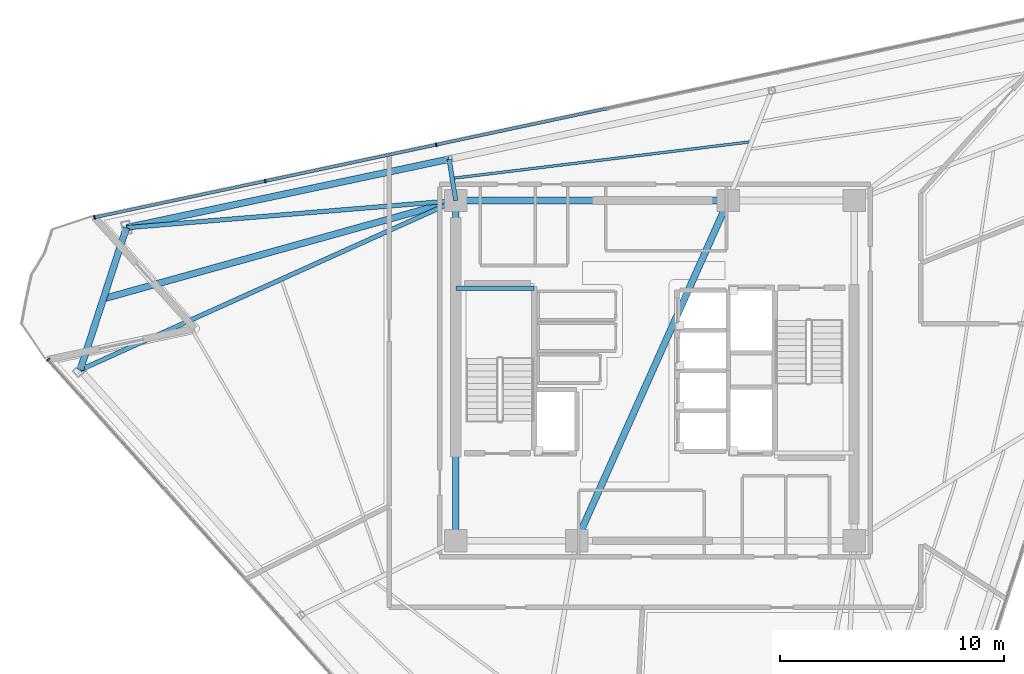
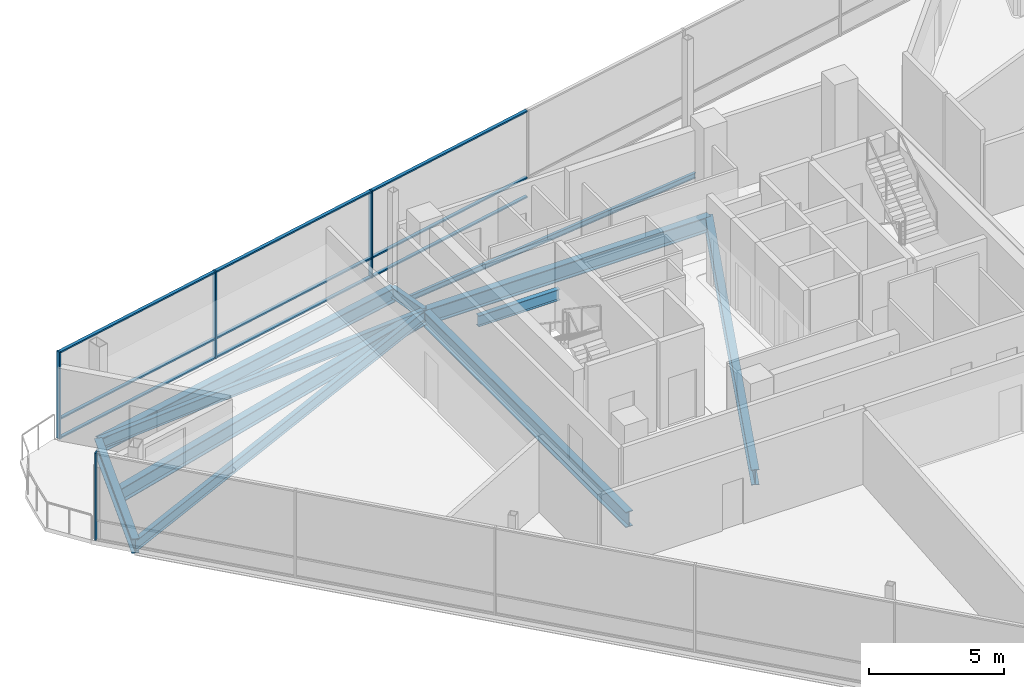
# One storey, part 7 of 17: 13 members, 11 beams, 2 elements without a shape of their own.
"""IFC4 building model written with IfcOpenShell, lengths in metres."""

from ifc_helpers import new_model, si_unit, direction, frame, origin, origin_2d, place, context, subcontext, project, spatial, rectangle, i_section, extrude, material, layer, layer_set, material_profile, profile_set, type_object, element, aggregate, save


model = new_model("IFC4")

# Units and contexts
model_context = context("Model", 3, precision=1e-05, world=origin(), true_north=direction((0.0, 1.0)))
body_context = subcontext(model_context, "Body", "Model", "MODEL_VIEW")
ifc_project = project(units=[si_unit("LENGTHUNIT", "METRE"), si_unit("AREAUNIT", "SQUARE_METRE"), si_unit("VOLUMEUNIT", "CUBIC_METRE"), si_unit("PLANEANGLEUNIT", "RADIAN"), si_unit("MASSUNIT", "GRAM", prefix="KILO")], contexts=[model_context])

# Site, building, storey
site_placement = place(None, origin())
site = spatial("IfcSite", under=ifc_project, at=site_placement, CompositionType="ELEMENT")
building_placement = place(site_placement, origin())
building = spatial("IfcBuilding", under=site, at=building_placement, Name="Tharavind Bronze Gate", CompositionType="ELEMENT")
storey_placement = place(building_placement, frame((0.0, 0.0, 298.0)))
storey = spatial("IfcBuildingStorey", under=building, at=storey_placement, Name="L77", CompositionType="ELEMENT", Elevation=298.0)

# Curtain wall, member
ifc_material_1 = material(Name="Anodised Bronze Aluminium", Category="aluminium")
ifc_layer = layer(ifc_material_1, 0.219970703125)
ifc_layer_set = layer_set([ifc_layer], Name="Anodised Bronze Aluminium")
curtain_wall_type = type_object("IfcCurtainWallType", Name="UNITISED CURTAIN WALL CROWN", PredefinedType="USERDEFINED", material=ifc_layer_set)
curtain_wall_1_placement = place(storey_placement, origin())
curtain_wall_1 = element("IfcCurtainWall", 1, at=curtain_wall_1_placement, inside=storey, type_object=curtain_wall_type, Name="L77 unitised curtain wall crown CW-L77-S1", ObjectType="UNITISED CURTAIN WALL", PredefinedType="USERDEFINED")
member_type_1 = type_object("IfcMemberType", Name="CURTAIN WALL BRONZE MULLION 65X180", PredefinedType="MULLION", material=ifc_material_1)
member_1_placement = place(storey_placement, frame((-27.105224609375, 0.4951171875, 0.0), z_axis=(0.0, 0.0, 1.0), x_axis=(0.669130606359, -0.743144825477, 0.0)))
member_1 = element("IfcMember", 2, at=member_1_placement, type_object=member_type_1, Name="CW-L77-S1 mullion 1", PredefinedType="MULLION", context=body_context, shape_type="SweptSolid", body=[
    extrude(rectangle(XDim=0.06494140625, YDim=0.179931640625, at=origin_2d()), origin(), (0.0, 0.0, 1.0), 3.949951171875),
])
aggregate(curtain_wall_1, [member_1])

# Curtain wall, members
curtain_wall_2_placement = place(storey_placement, origin())
curtain_wall_2 = element("IfcCurtainWall", 3, at=curtain_wall_2_placement, inside=storey, type_object=curtain_wall_type, Name="L77 unitised curtain wall crown CW-L77-S3", ObjectType="UNITISED CURTAIN WALL", PredefinedType="USERDEFINED")
member_2_placement = place(storey_placement, frame((-9.776611328125, 10.0927734375, 0.0), z_axis=(0.0, 0.0, 1.0), x_axis=(-0.978147237858, -0.207913398007, 0.0)))
member_2 = element("IfcMember", 4, at=member_2_placement, type_object=member_type_1, Name="CW-L77-S3 mullion 5", PredefinedType="MULLION", context=body_context, shape_type="SweptSolid", body=[
    extrude(rectangle(XDim=0.06494140625, YDim=0.179931640625, at=origin_2d()), origin(), (0.0, 0.0, 1.0), 3.949951171875),
])
member_3_placement = place(storey_placement, frame((-17.408935546875, 8.470458984375, 0.0), z_axis=(0.0, 0.0, 1.0), x_axis=(-0.978147237858, -0.207913398007, 0.0)))
member_3 = element("IfcMember", 5, at=member_3_placement, type_object=member_type_1, Name="CW-L77-S3 mullion 6", PredefinedType="MULLION", context=body_context, shape_type="SweptSolid", body=[
    extrude(rectangle(XDim=0.06494140625, YDim=0.179931640625, at=origin_2d()), origin(), (0.0, 0.0, 1.0), 3.949951171875),
])
member_4_placement = place(storey_placement, frame((-25.041015625, 6.84814453125, 0.0), z_axis=(0.0, 0.0, 1.0), x_axis=(-0.978147237858, -0.207913398007, 0.0)))
member_4 = element("IfcMember", 6, at=member_4_placement, type_object=member_type_1, Name="CW-L77-S3 mullion 7", PredefinedType="MULLION", context=body_context, shape_type="SweptSolid", body=[
    extrude(rectangle(XDim=0.06494140625, YDim=0.179931640625, at=origin_2d()), origin(), (0.0, 0.0, 1.0), 3.949951171875),
])
member_type_2 = type_object("IfcMemberType", Name="CURTAIN WALL BRONZE TRANSOM 65X140", PredefinedType="USERDEFINED", material=ifc_material_1)
member_5_placement = place(storey_placement, frame((-5.960693359375, 10.90380859375, 0.0), z_axis=(0.0, 0.0, 1.0), x_axis=(-0.978147237858, -0.207913398007, 0.0)))
member_5 = element("IfcMember", 7, at=member_5_placement, type_object=member_type_2, Name="CW-L77-S3 transom TB4", ObjectType="TRANSOM", PredefinedType="USERDEFINED", context=body_context, shape_type="SweptSolid", body=[
    extrude(rectangle(XDim=7.749755859375, YDim=0.139892578125, at=origin_2d()), origin(), (0.0, 0.0, 1.0), 0.06494140625),
])
member_6_placement = place(storey_placement, frame((-5.960693359375, 10.90380859375, 0.867431640625), z_axis=(0.0, 0.0, 1.0), x_axis=(-0.978147237858, -0.207913398007, 0.0)))
member_6 = element("IfcMember", 8, at=member_6_placement, type_object=member_type_2, Name="CW-L77-S3 transom TS4", ObjectType="TRANSOM", PredefinedType="USERDEFINED", context=body_context, shape_type="SweptSolid", body=[
    extrude(rectangle(XDim=7.749755859375, YDim=0.139892578125, at=origin_2d()), origin(), (0.0, 0.0, 1.0), 0.06494140625),
])
member_7_placement = place(storey_placement, frame((-5.960693359375, 10.90380859375, 3.885009765625), z_axis=(0.0, 0.0, 1.0), x_axis=(-0.978147237858, -0.207913398007, 0.0)))
member_7 = element("IfcMember", 9, at=member_7_placement, type_object=member_type_2, Name="CW-L77-S3 transom TT4", ObjectType="TRANSOM", PredefinedType="USERDEFINED", context=body_context, shape_type="SweptSolid", body=[
    extrude(rectangle(XDim=7.749755859375, YDim=0.139892578125, at=origin_2d()), origin(), (0.0, 0.0, 1.0), 0.06494140625),
])
member_8_placement = place(storey_placement, frame((-13.5927734375, 9.281494140625, 0.0), z_axis=(0.0, 0.0, 1.0), x_axis=(-0.978147237858, -0.207913398007, 0.0)))
member_8 = element("IfcMember", 10, at=member_8_placement, type_object=member_type_2, Name="CW-L77-S3 transom TB5", ObjectType="TRANSOM", PredefinedType="USERDEFINED", context=body_context, shape_type="SweptSolid", body=[
    extrude(rectangle(XDim=7.749755859375, YDim=0.139892578125, at=origin_2d()), origin(), (0.0, 0.0, 1.0), 0.06494140625),
])
member_9_placement = place(storey_placement, frame((-13.5927734375, 9.281494140625, 0.867431640625), z_axis=(0.0, 0.0, 1.0), x_axis=(-0.978147237858, -0.207913398007, 0.0)))
member_9 = element("IfcMember", 11, at=member_9_placement, type_object=member_type_2, Name="CW-L77-S3 transom TS5", ObjectType="TRANSOM", PredefinedType="USERDEFINED", context=body_context, shape_type="SweptSolid", body=[
    extrude(rectangle(XDim=7.749755859375, YDim=0.139892578125, at=origin_2d()), origin(), (0.0, 0.0, 1.0), 0.06494140625),
])
member_10_placement = place(storey_placement, frame((-13.5927734375, 9.281494140625, 3.885009765625), z_axis=(0.0, 0.0, 1.0), x_axis=(-0.978147237858, -0.207913398007, 0.0)))
member_10 = element("IfcMember", 12, at=member_10_placement, type_object=member_type_2, Name="CW-L77-S3 transom TT5", ObjectType="TRANSOM", PredefinedType="USERDEFINED", context=body_context, shape_type="SweptSolid", body=[
    extrude(rectangle(XDim=7.749755859375, YDim=0.139892578125, at=origin_2d()), origin(), (0.0, 0.0, 1.0), 0.06494140625),
])
member_11_placement = place(storey_placement, frame((-21.22509765625, 7.6591796875, 0.0), z_axis=(0.0, 0.0, 1.0), x_axis=(-0.978147237858, -0.207913398007, 0.0)))
member_11 = element("IfcMember", 13, at=member_11_placement, type_object=member_type_2, Name="CW-L77-S3 transom TB6", ObjectType="TRANSOM", PredefinedType="USERDEFINED", context=body_context, shape_type="SweptSolid", body=[
    extrude(rectangle(XDim=7.749755859375, YDim=0.139892578125, at=origin_2d()), origin(), (0.0, 0.0, 1.0), 0.06494140625),
])
member_12_placement = place(storey_placement, frame((-21.22509765625, 7.6591796875, 0.867431640625), z_axis=(0.0, 0.0, 1.0), x_axis=(-0.978147237858, -0.207913398007, 0.0)))
member_12 = element("IfcMember", 14, at=member_12_placement, type_object=member_type_2, Name="CW-L77-S3 transom TS6", ObjectType="TRANSOM", PredefinedType="USERDEFINED", context=body_context, shape_type="SweptSolid", body=[
    extrude(rectangle(XDim=7.749755859375, YDim=0.139892578125, at=origin_2d()), origin(), (0.0, 0.0, 1.0), 0.06494140625),
])
member_13_placement = place(storey_placement, frame((-21.22509765625, 7.6591796875, 3.885009765625), z_axis=(0.0, 0.0, 1.0), x_axis=(-0.978147237858, -0.207913398007, 0.0)))
member_13 = element("IfcMember", 15, at=member_13_placement, type_object=member_type_2, Name="CW-L77-S3 transom TT6", ObjectType="TRANSOM", PredefinedType="USERDEFINED", context=body_context, shape_type="SweptSolid", body=[
    extrude(rectangle(XDim=7.749755859375, YDim=0.139892578125, at=origin_2d()), origin(), (0.0, 0.0, 1.0), 0.06494140625),
])
aggregate(curtain_wall_2, [member_2, member_3, member_4, member_5, member_6, member_7, member_8, member_9, member_10, member_11, member_12, member_13])

# Beams
ifc_material_2 = material(Name="Steel S355", Category="steel")
ifc_material_profile_1 = material_profile(ifc_material_2, i_section(OverallWidth=0.300048828125, OverallDepth=0.64990234375, WebThickness=0.01611328125, FlangeThickness=0.031005859375, at=origin_2d()), Name="HE650B")
ifc_profile_set_1 = profile_set([ifc_material_profile_1], Name="Steel S355")
beam_type_1 = type_object("IfcBeamType", Name="PRIMARY GIRDER HE650B", PredefinedType="USERDEFINED", material=ifc_profile_set_1)
beam_1_placement = place(storey_placement, frame((-9.197265625, 9.44921875, -0.52490234375), z_axis=(-0.97814794647, -0.207910064249, 0.0), x_axis=(0.207910064249, -0.97814794647, 0.0)))
element("IfcBeam", 16, at=beam_1_placement, inside=storey, type_object=beam_type_1, Name="L77 primary girder he650b BM-L77-PRG11", ObjectType="GIRDER", PredefinedType="USERDEFINED", context=body_context, shape_type="SweptSolid", body=[
    extrude(i_section(OverallWidth=0.300048828125, OverallDepth=0.64990234375, WebThickness=0.01611328125, FlangeThickness=0.031005859375, at=origin_2d()), origin(), (0.0, 0.0, 1.0), 14.7392578125),
])
beam_2_placement = place(storey_placement, frame((-23.614501953125, 6.384765625, -0.52490234375), z_axis=(-0.309014999798, -0.95105716437, 0.0), x_axis=(0.95105716437, -0.309014999798, 0.0)))
element("IfcBeam", 17, at=beam_2_placement, inside=storey, type_object=beam_type_1, Name="L77 primary girder he650b BM-L77-PRG12", ObjectType="GIRDER", PredefinedType="USERDEFINED", context=body_context, shape_type="SweptSolid", body=[
    extrude(i_section(OverallWidth=0.300048828125, OverallDepth=0.64990234375, WebThickness=0.01611328125, FlangeThickness=0.031005859375, at=origin_2d()), origin(), (0.0, 0.0, 1.0), 6.679931640625),
])
beam_3_placement = place(storey_placement, frame((-8.89990234375, 7.60009765625, -0.52490234375), z_axis=(-0.963236664958, -0.268654289527, 0.0), x_axis=(0.268654289527, -0.963236664958, 0.0)))
element("IfcBeam", 18, at=beam_3_placement, inside=storey, type_object=beam_type_1, Name="L77 primary girder he650b BM-L77-BLCSB", ObjectType="GIRDER", PredefinedType="USERDEFINED", context=body_context, shape_type="SweptSolid", body=[
    extrude(i_section(OverallWidth=0.300048828125, OverallDepth=0.64990234375, WebThickness=0.01611328125, FlangeThickness=0.031005859375, at=origin_2d()), origin(), (0.0, 0.0, 1.0), 16.34765625),
])
ifc_material_profile_2 = material_profile(ifc_material_2, i_section(OverallWidth=0.199951171875, OverallDepth=0.5, WebThickness=0.01025390625, FlangeThickness=0.01611328125, at=origin_2d()), Name="IPE500")
ifc_profile_set_2 = profile_set([ifc_material_profile_2], Name="Steel S355")
beam_type_2 = type_object("IfcBeamType", Name="PRIMARY GIRDER IPE500", PredefinedType="USERDEFINED", material=ifc_profile_set_2)
beam_4_placement = place(storey_placement, frame((-8.89990234375, 3.679931640625, 1.625), z_axis=(1.0, 0.0, 0.0), x_axis=(0.0, 1.0, 0.0)))
element("IfcBeam", 19, at=beam_4_placement, inside=storey, type_object=beam_type_2, Name="L77 primary girder ipe500 BM-LD-ST1-L77-1", ObjectType="GIRDER", PredefinedType="USERDEFINED", context=body_context, shape_type="SweptSolid", body=[
    extrude(i_section(OverallWidth=0.199951171875, OverallDepth=0.5, WebThickness=0.01025390625, FlangeThickness=0.01611328125, at=origin_2d()), origin(), (0.0, 0.0, 1.0), 3.5),
])
beam_5_placement = place(storey_placement, frame((-25.6787109375, 0.03173828125, -0.449951171875), z_axis=(0.911557320277, 0.411173019361, 0.0), x_axis=(-0.411173019361, 0.911557320277, 0.0)))
element("IfcBeam", 20, at=beam_5_placement, inside=storey, type_object=beam_type_2, Name="L77 primary girder ipe500 BM-L77-RAD01", ObjectType="GIRDER", PredefinedType="USERDEFINED", context=body_context, shape_type="SweptSolid", body=[
    extrude(i_section(OverallWidth=0.199951171875, OverallDepth=0.5, WebThickness=0.01025390625, FlangeThickness=0.01611328125, at=origin_2d()), origin(), (0.0, 0.0, 1.0), 18.40673828125),
])
beam_6_placement = place(storey_placement, frame((-9.197265625, 9.44921875, -0.449951171875), z_axis=(0.15877339987, -0.987315049766, 0.0), x_axis=(0.987315049766, 0.15877339987, 0.0)))
element("IfcBeam", 21, at=beam_6_placement, inside=storey, type_object=beam_type_2, Name="L77 primary girder ipe500 BM-L77-RAD11", ObjectType="GIRDER", PredefinedType="USERDEFINED", context=body_context, shape_type="SweptSolid", body=[
    extrude(i_section(OverallWidth=0.199951171875, OverallDepth=0.5, WebThickness=0.01025390625, FlangeThickness=0.01611328125, at=origin_2d()), origin(), (0.0, 0.0, 1.0), 1.872802734375),
])
beam_7_placement = place(storey_placement, frame((-23.614501953125, 6.384765625, -0.449951171875), z_axis=(0.996606499326, 0.082313337321, 0.0), x_axis=(-0.082313337321, 0.996606499326, 0.0)))
element("IfcBeam", 22, at=beam_7_placement, inside=storey, type_object=beam_type_2, Name="L77 primary girder ipe500 BM-L77-RAD12", ObjectType="GIRDER", PredefinedType="USERDEFINED", context=body_context, shape_type="SweptSolid", body=[
    extrude(i_section(OverallWidth=0.199951171875, OverallDepth=0.5, WebThickness=0.01025390625, FlangeThickness=0.01611328125, at=origin_2d()), origin(), (0.0, 0.0, 1.0), 14.7646484375),
])
ifc_material_profile_3 = material_profile(ifc_material_2, i_section(OverallWidth=0.300048828125, OverallDepth=0.699951171875, WebThickness=0.01708984375, FlangeThickness=0.031982421875, at=origin_2d()), Name="HE700B")
ifc_profile_set_3 = profile_set([ifc_material_profile_3], Name="Steel S355")
beam_type_3 = type_object("IfcBeamType", Name="RING GIRDER HE700B", PredefinedType="USERDEFINED", material=ifc_profile_set_3)
beam_8_placement = place(storey_placement, frame((3.280029296875, 7.60009765625, -0.550048828125), z_axis=(-1.0, 0.0, 0.0), x_axis=(0.0, -1.0, 0.0)))
element("IfcBeam", 23, at=beam_8_placement, inside=storey, type_object=beam_type_3, Name="L77 ring girder he700b BM-L77-CR5", ObjectType="GIRDER", PredefinedType="USERDEFINED", context=body_context, shape_type="SweptSolid", body=[
    extrude(i_section(OverallWidth=0.300048828125, OverallDepth=0.699951171875, WebThickness=0.01708984375, FlangeThickness=0.031982421875, at=origin_2d()), origin(), (0.0, 0.0, 1.0), 12.179931640625),
])
beam_9_placement = place(storey_placement, frame((-8.89990234375, 7.60009765625, -0.550048828125), z_axis=(0.0, -1.0, 0.0), x_axis=(1.0, 0.0, 0.0)))
element("IfcBeam", 24, at=beam_9_placement, inside=storey, type_object=beam_type_3, Name="L77 ring girder he700b BM-L77-CR6", ObjectType="GIRDER", PredefinedType="USERDEFINED", context=body_context, shape_type="SweptSolid", body=[
    extrude(i_section(OverallWidth=0.300048828125, OverallDepth=0.699951171875, WebThickness=0.01708984375, FlangeThickness=0.031982421875, at=origin_2d()), origin(), (0.0, 0.0, 1.0), 15.2001953125),
])
beam_10_placement = place(storey_placement, frame((-3.5, -7.60009765625, -0.550048828125), z_axis=(0.407361644566, 0.913266932795, 0.0), x_axis=(-0.913266932795, 0.407361644566, 0.0)))
element("IfcBeam", 25, at=beam_10_placement, inside=storey, type_object=beam_type_3, Name="L77 ring girder he700b BM-L77-CR7", ObjectType="GIRDER", PredefinedType="USERDEFINED", context=body_context, shape_type="SweptSolid", body=[
    extrude(i_section(OverallWidth=0.300048828125, OverallDepth=0.699951171875, WebThickness=0.01708984375, FlangeThickness=0.031982421875, at=origin_2d()), origin(), (0.0, 0.0, 1.0), 16.643798828125),
])
ifc_material_profile_4 = material_profile(ifc_material_2, i_section(OverallWidth=0.1201171875, OverallDepth=0.239990234375, WebThickness=0.006103515625, FlangeThickness=0.009765625, at=origin_2d()), Name="IPE240")
ifc_profile_set_4 = profile_set([ifc_material_profile_4], Name="Steel S355")
beam_type_4 = type_object("IfcBeamType", Name="SECONDARY FLOOR JOIST IPE240", PredefinedType="JOIST", material=ifc_profile_set_4)
beam_11_placement = place(storey_placement, frame((4.200927734375, 10.214599609375, -0.320068359375), z_axis=(-0.992572551394, -0.121654141807, 0.0), x_axis=(0.121654141807, -0.992572551394, 0.0)))
element("IfcBeam", 26, at=beam_11_placement, inside=storey, type_object=beam_type_4, Name="L77 secondary floor joist ipe240 BM-L77-JSTA10", PredefinedType="JOIST", context=body_context, shape_type="SweptSolid", body=[
    extrude(i_section(OverallWidth=0.1201171875, OverallDepth=0.239990234375, WebThickness=0.006103515625, FlangeThickness=0.009765625, at=origin_2d()), origin(), (0.0, 0.0, 1.0), 13.255126953125),
])

save(model, "model.ifc")
